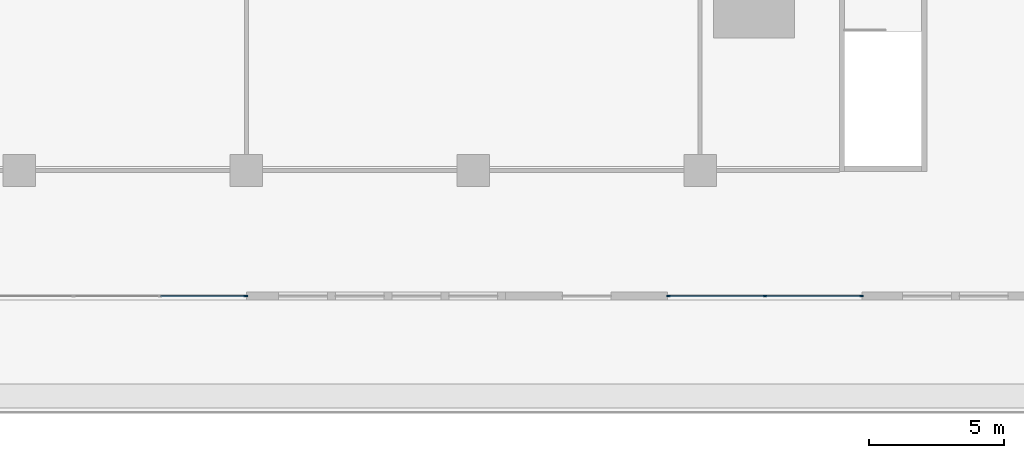
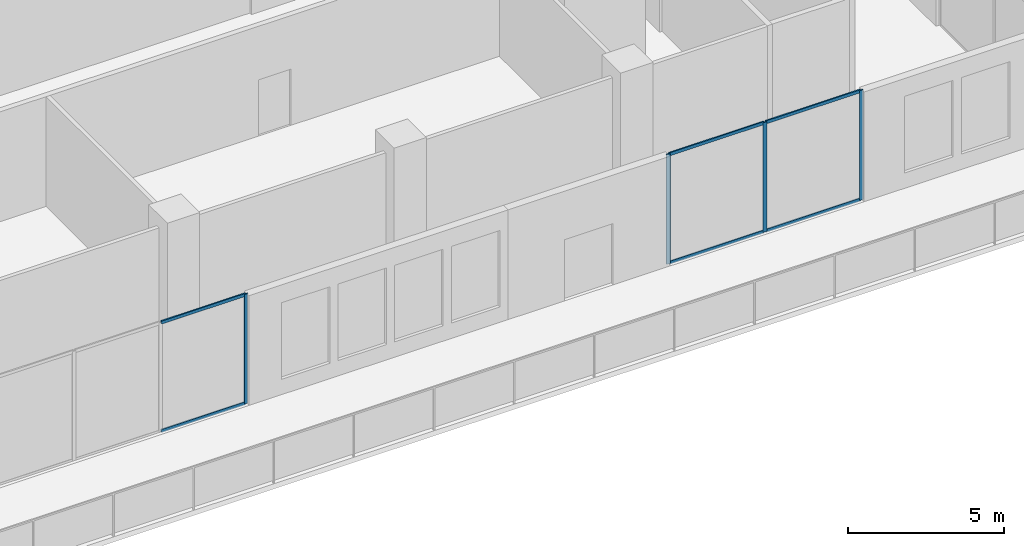
# One storey, part 4 of 22: 10 members, 2 elements without a shape of their own.
"""IFC4 building model written with IfcOpenShell, lengths in metres."""

from ifc_helpers import new_model, si_unit, direction, frame, origin, origin_2d, place, context, subcontext, project, spatial, rectangle, extrude, material, material_profile, profile_set, type_object, element, aggregate, save


model = new_model("IFC4")

# Units and contexts
model_context = context("Model", 3, precision=1e-05, world=origin(), true_north=direction((0.0, 1.0)))
body_context = subcontext(model_context, "Body", "Model", "MODEL_VIEW")
ifc_project = project(units=[si_unit("LENGTHUNIT", "METRE"), si_unit("AREAUNIT", "SQUARE_METRE"), si_unit("VOLUMEUNIT", "CUBIC_METRE"), si_unit("PLANEANGLEUNIT", "RADIAN"), si_unit("MASSUNIT", "GRAM", prefix="KILO")], contexts=[model_context])

# Site, building, storey
site_placement = place(None, origin())
site = spatial("IfcSite", under=ifc_project, at=site_placement, CompositionType="ELEMENT")
building_placement = place(site_placement, origin())
building = spatial("IfcBuilding", under=site, at=building_placement, Name="Khepri Terraces", CompositionType="ELEMENT")
storey_placement = place(building_placement, frame((0.0, 0.0, 22.199951171875)))
storey = spatial("IfcBuildingStorey", under=building, at=storey_placement, Name="L04", CompositionType="ELEMENT", Elevation=22.199951171875)

# Curtain wall, member
ifc_material_1 = material(Name="Anodised aluminium bronze curtain wall", Category="aluminium")
curtain_wall_type = type_object("IfcCurtainWallType", Name="CW-SYS6-LOUNGE", PredefinedType="NOTDEFINED", material=ifc_material_1)
curtain_wall_1_placement = place(storey_placement, origin())
curtain_wall_1 = element("IfcCurtainWall", 1, at=curtain_wall_1_placement, inside=storey, type_object=curtain_wall_type, Name="Curtain wall CW6 L04 S", PredefinedType="NOTDEFINED")
ifc_material_2 = material(Name="Anodised aluminium bronze", Category="aluminium")
ifc_material_profile_1 = material_profile(ifc_material_2, rectangle(XDim=0.050048828125, YDim=0.139892578125, at=origin_2d()), Name="Anodised aluminium bronze", Category="aluminium")
ifc_profile_set_1 = profile_set([ifc_material_profile_1], Name="Anodised aluminium bronze")
member_type_1 = type_object("IfcMemberType", Name="CW-MULLION-50x140", PredefinedType="MULLION", material=ifc_profile_set_1)
member_1_placement = place(storey_placement, frame((-0.02490234375, -29.85009765625, 0.0), z_axis=(0.0, 0.0, 1.0), x_axis=(0.0, 1.0, 0.0)))
member_1 = element("IfcMember", 2, at=member_1_placement, type_object=member_type_1, Name="CW6 mullion 4", PredefinedType="MULLION", context=body_context, shape_type="SweptSolid", body=[
    extrude(rectangle(XDim=0.050048828125, YDim=0.139892578125, at=origin_2d()), origin(), (0.0, 0.0, 1.0), 4.300048828125),
])

# Curtain wall, members
curtain_wall_2_placement = place(storey_placement, origin())
curtain_wall_2 = element("IfcCurtainWall", 3, at=curtain_wall_2_placement, inside=storey, type_object=curtain_wall_type, Name="Curtain wall CW6 L04 S", PredefinedType="NOTDEFINED")
member_2_placement = place(storey_placement, frame((15.625, -29.85009765625, 0.0), z_axis=(0.0, 0.0, 1.0), x_axis=(0.0, 1.0, 0.0)))
member_2 = element("IfcMember", 4, at=member_2_placement, type_object=member_type_1, Name="CW6 mullion 1", PredefinedType="MULLION", context=body_context, shape_type="SweptSolid", body=[
    extrude(rectangle(XDim=0.050048828125, YDim=0.139892578125, at=origin_2d()), origin(), (0.0, 0.0, 1.0), 4.300048828125),
])
member_3_placement = place(storey_placement, frame((19.199951171875, -29.85009765625, 0.0), z_axis=(0.0, 0.0, 1.0), x_axis=(0.0, 1.0, 0.0)))
member_3 = element("IfcMember", 5, at=member_3_placement, type_object=member_type_1, Name="CW6 mullion 2", PredefinedType="MULLION", context=body_context, shape_type="SweptSolid", body=[
    extrude(rectangle(XDim=0.050048828125, YDim=0.139892578125, at=origin_2d()), origin(), (0.0, 0.0, 1.0), 4.300048828125),
])
member_4_placement = place(storey_placement, frame((22.77490234375, -29.85009765625, 0.0), z_axis=(0.0, 0.0, 1.0), x_axis=(0.0, 1.0, 0.0)))
member_4 = element("IfcMember", 6, at=member_4_placement, type_object=member_type_1, Name="CW6 mullion 3", PredefinedType="MULLION", context=body_context, shape_type="SweptSolid", body=[
    extrude(rectangle(XDim=0.050048828125, YDim=0.139892578125, at=origin_2d()), origin(), (0.0, 0.0, 1.0), 4.300048828125),
])

# Member
ifc_material_profile_2 = material_profile(ifc_material_2, rectangle(XDim=0.050048828125, YDim=0.1201171875, at=origin_2d()), Name="Anodised aluminium bronze", Category="aluminium")
ifc_profile_set_2 = profile_set([ifc_material_profile_2], Name="Anodised aluminium bronze")
member_type_2 = type_object("IfcMemberType", Name="CW-TRANSOM-50x120", PredefinedType="USERDEFINED", material=ifc_profile_set_2)
member_5_placement = place(storey_placement, frame((-3.175048828125, -29.85009765625, 0.025146484375), z_axis=(1.0, 0.0, 0.0), x_axis=(0.0, 1.0, 0.0)))
member_5 = element("IfcMember", 7, at=member_5_placement, type_object=member_type_2, Name="CW6 transom 3.1", ObjectType="TRANSOM", PredefinedType="USERDEFINED", context=body_context, shape_type="SweptSolid", body=[
    extrude(rectangle(XDim=0.050048828125, YDim=0.1201171875, at=origin_2d()), origin(), (0.0, 0.0, 1.0), 3.125),
])

member_6_placement = place(storey_placement, frame((-3.175048828125, -29.85009765625, 4.275146484375), z_axis=(1.0, 0.0, 0.0), x_axis=(0.0, 1.0, 0.0)))
member_6 = element("IfcMember", 8, at=member_6_placement, type_object=member_type_2, Name="CW6 transom 3.2", ObjectType="TRANSOM", PredefinedType="USERDEFINED", context=body_context, shape_type="SweptSolid", body=[
    extrude(rectangle(XDim=0.050048828125, YDim=0.1201171875, at=origin_2d()), origin(), (0.0, 0.0, 1.0), 3.125),
])

aggregate(curtain_wall_1, [member_1, member_5, member_6])

member_7_placement = place(storey_placement, frame((15.64990234375, -29.85009765625, 0.025146484375), z_axis=(1.0, 0.0, 0.0), x_axis=(0.0, 1.0, 0.0)))
member_7 = element("IfcMember", 9, at=member_7_placement, type_object=member_type_2, Name="CW6 transom 1.1", ObjectType="TRANSOM", PredefinedType="USERDEFINED", context=body_context, shape_type="SweptSolid", body=[
    extrude(rectangle(XDim=0.050048828125, YDim=0.1201171875, at=origin_2d()), origin(), (0.0, 0.0, 1.0), 3.525146484375),
])

member_8_placement = place(storey_placement, frame((15.64990234375, -29.85009765625, 4.275146484375), z_axis=(1.0, 0.0, 0.0), x_axis=(0.0, 1.0, 0.0)))
member_8 = element("IfcMember", 10, at=member_8_placement, type_object=member_type_2, Name="CW6 transom 1.2", ObjectType="TRANSOM", PredefinedType="USERDEFINED", context=body_context, shape_type="SweptSolid", body=[
    extrude(rectangle(XDim=0.050048828125, YDim=0.1201171875, at=origin_2d()), origin(), (0.0, 0.0, 1.0), 3.525146484375),
])

member_9_placement = place(storey_placement, frame((19.22509765625, -29.85009765625, 0.025146484375), z_axis=(1.0, 0.0, 0.0), x_axis=(0.0, 1.0, 0.0)))
member_9 = element("IfcMember", 11, at=member_9_placement, type_object=member_type_2, Name="CW6 transom 2.1", ObjectType="TRANSOM", PredefinedType="USERDEFINED", context=body_context, shape_type="SweptSolid", body=[
    extrude(rectangle(XDim=0.050048828125, YDim=0.1201171875, at=origin_2d()), origin(), (0.0, 0.0, 1.0), 3.52490234375),
])

member_10_placement = place(storey_placement, frame((19.22509765625, -29.85009765625, 4.275146484375), z_axis=(1.0, 0.0, 0.0), x_axis=(0.0, 1.0, 0.0)))
member_10 = element("IfcMember", 12, at=member_10_placement, type_object=member_type_2, Name="CW6 transom 2.2", ObjectType="TRANSOM", PredefinedType="USERDEFINED", context=body_context, shape_type="SweptSolid", body=[
    extrude(rectangle(XDim=0.050048828125, YDim=0.1201171875, at=origin_2d()), origin(), (0.0, 0.0, 1.0), 3.52490234375),
])

aggregate(curtain_wall_2, [member_2, member_3, member_4, member_7, member_8, member_9, member_10])

save(model, "model.ifc")
